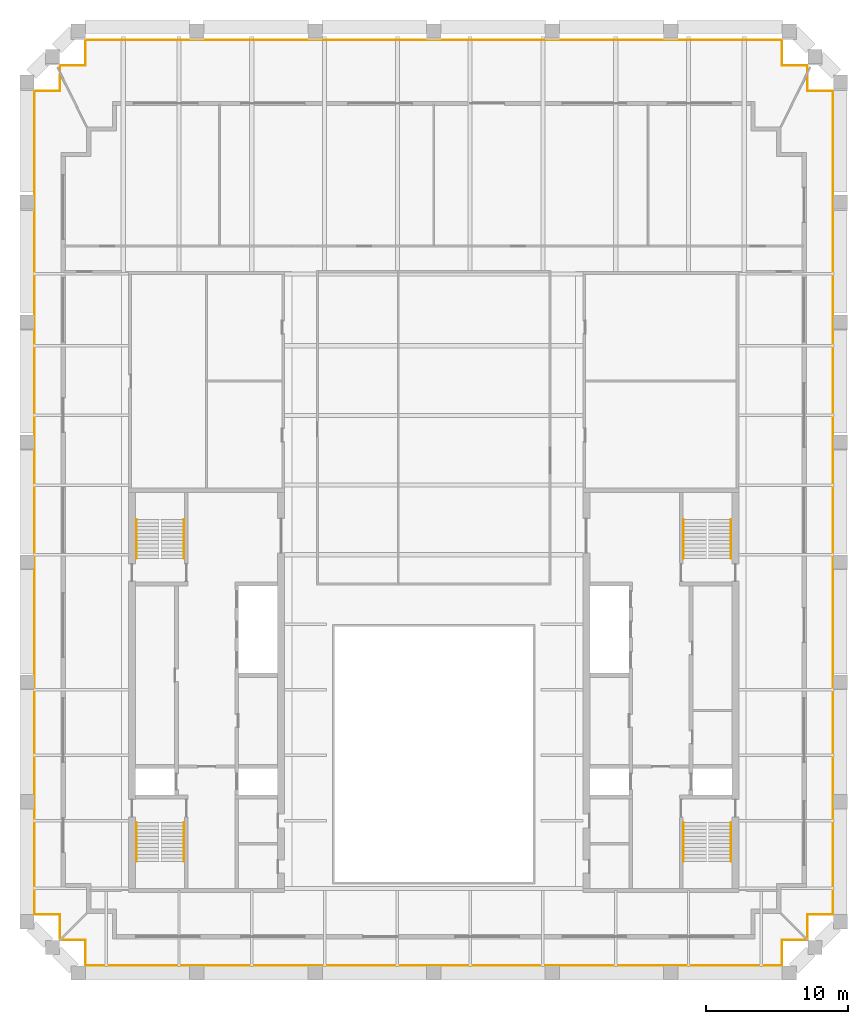
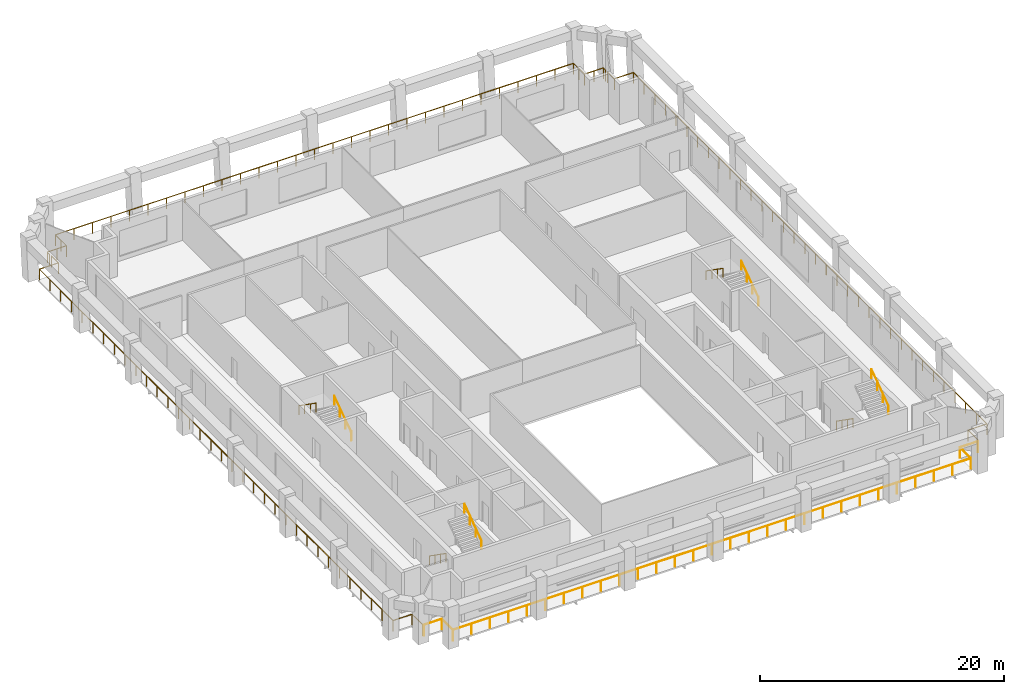
# One storey, part 7 of 7: 12 railings.
"""IFC4 building model written with IfcOpenShell, lengths in metres."""

import ifcopenshell
import ifcopenshell.guid

model = None  # the IFC model being written
_history = None  # IfcOwnerHistory: only IFC2X3 demands one
_inside = {}  # id of a spatial element -> (the spatial element, [elements in it])
_under = {}  # id of a project, library or spatial element -> (it, [spatial elements below it])
_declared = {}  # id of a project -> (the project, [libraries it declares])
_typed = {}  # id of a type object -> (the type object, [elements of that type])
_made_of = {}  # id of a material, layer set ... -> (it, [elements and type objects made of it])


def new_model(schema):
    """Start an empty IFC model of exactly this schema.

    Asked for "IFC4X3", IfcOpenShell would pick the latest addendum, in which some entities
    have other attributes; the version numbers below select the first issue.
    IFC2X3 requires an IfcOwnerHistory on every rooted entity: one is made here for all.
    """
    global model, _history
    if schema == "IFC4X3":
        model = ifcopenshell.file(schema_version=(4, 3, 0, 0))
    else:
        model = ifcopenshell.file(schema=schema)
    _inside.clear()
    _under.clear()
    _declared.clear()
    _typed.clear()
    _made_of.clear()
    _history = None
    if model.schema == "IFC2X3":
        org = make("IfcOrganization", Name="unknown")
        user = make(
            "IfcPersonAndOrganization",
            ThePerson=make("IfcPerson", FamilyName="unknown"),
            TheOrganization=org,
        )
        app = make(
            "IfcApplication",
            ApplicationDeveloper=org,
            Version="unknown",
            ApplicationFullName="unknown",
            ApplicationIdentifier="unknown",
        )
        _history = make(
            "IfcOwnerHistory",
            OwningUser=user,
            OwningApplication=app,
            ChangeAction="ADDED",
            CreationDate=0,
        )
    return model


def make(cls, **values):
    """One entity of the class cls with the attributes given. An attribute that is None is left unset."""
    return model.create_entity(
        cls, **{name: value for name, value in values.items() if value is not None}
    )


def rooted(cls, **values):
    """An entity with a GlobalId (a new one), such as an element, a storey or a relation."""
    return make(cls, GlobalId=ifcopenshell.guid.new(), OwnerHistory=_history, **values)


def si_unit(unit_type, name, prefix=None):
    """IfcSIUnit, for example si_unit("LENGTHUNIT", "METRE", prefix="MILLI")."""
    return make("IfcSIUnit", UnitType=unit_type, Prefix=prefix, Name=name)


def assignment(units):
    """IfcUnitAssignment: the units of a project."""
    return None if units is None else make("IfcUnitAssignment", Units=units)


def point(xyz):
    """IfcCartesianPoint."""
    return None if xyz is None else make("IfcCartesianPoint", Coordinates=xyz)


def direction(xyz):
    """IfcDirection."""
    return None if xyz is None else make("IfcDirection", DirectionRatios=xyz)


def frame(location, z_axis=None, x_axis=None):
    """IfcAxis2Placement3D, a coordinate frame: its origin and axes. An axis left out is left unset."""
    return make(
        "IfcAxis2Placement3D",
        Location=point(location),
        Axis=direction(z_axis),
        RefDirection=direction(x_axis),
    )


def frame_2d(location, x_axis=None):
    """IfcAxis2Placement2D, a coordinate frame in the plane: its origin and x axis."""
    return make(
        "IfcAxis2Placement2D", Location=point(location), RefDirection=direction(x_axis)
    )


def origin():
    """The frame at (0, 0, 0) with its axes left unset."""
    return frame((0.0, 0.0, 0.0))


def origin_2d():
    """The frame at (0, 0) in the plane with its x axis left unset."""
    return frame_2d((0.0, 0.0))


def place(relative_to, where):
    """IfcLocalPlacement: puts the frame where relative to a parent placement (None: the world)."""
    return make(
        "IfcLocalPlacement", PlacementRelTo=relative_to, RelativePlacement=where
    )


def context(
    kind, dimensions, precision=None, world=None, true_north=None, identifier=None
):
    """IfcGeometricRepresentationContext, for example the 3D "Model" context."""
    return make(
        "IfcGeometricRepresentationContext",
        ContextIdentifier=identifier,
        ContextType=kind,
        CoordinateSpaceDimension=dimensions,
        Precision=precision,
        WorldCoordinateSystem=world,
        TrueNorth=true_north,
    )


def subcontext(parent, identifier, kind, view, scale=None):
    """IfcGeometricRepresentationSubContext, for example "Body" below "Model"."""
    return make(
        "IfcGeometricRepresentationSubContext",
        ContextIdentifier=identifier,
        ContextType=kind,
        ParentContext=parent,
        TargetScale=scale,
        TargetView=view,
    )


def project(units=None, contexts=None):
    """IfcProject with its units and contexts."""
    return rooted(
        "IfcProject",
        Name="project",
        RepresentationContexts=contexts,
        UnitsInContext=assignment(units),
    )


def spatial(cls, under=None, at=None, **own):
    """A site, building, storey or space (cls), placed at a placement, below another one or the project."""
    s = rooted(cls, ObjectPlacement=at, **own)
    if under is not None:
        _under.setdefault(under.id(), (under, []))[1].append(s)
    return s


def profile(cls, at=None, kind="AREA", **sizes):
    """A parametric profile (cls). Its sizes go by their IFC names, for example OverallWidth=200.0."""
    return make(cls, ProfileType=kind, Position=at, **sizes)


def circle(**sizes):
    """IfcCircleProfileDef."""
    return profile("IfcCircleProfileDef", **sizes)


def extrude(swept, where, along, depth):
    """IfcExtrudedAreaSolid: the profile swept, set in the frame where, extruded along a direction by depth."""
    return make(
        "IfcExtrudedAreaSolid",
        SweptArea=swept,
        Position=where,
        ExtrudedDirection=direction(along),
        Depth=depth,
    )


def shape(context_of_items, identifier, shape_type, items):
    """IfcShapeRepresentation: the items that make up one representation, for example the "Body"."""
    return make(
        "IfcShapeRepresentation",
        ContextOfItems=context_of_items,
        RepresentationIdentifier=identifier,
        RepresentationType=shape_type,
        Items=items,
    )


def material(Name=None, Category=None):
    """IfcMaterial."""
    return make("IfcMaterial", Name=Name, Category=Category)


def made_of(thing, what):
    """Note that an element or type object is made of a material, layer set ...; save() writes the relation."""
    if what is not None:
        _made_of.setdefault(what.id(), (what, []))[1].append(thing)
    return thing


def type_object(cls, material=None, **own):
    """A type object (cls), such as IfcWallType, which elements share."""
    return made_of(rooted(cls, **own), material)


def element(
    cls,
    number,
    at=None,
    inside=None,
    cuts=None,
    type_object=None,
    material=None,
    context=None,
    identifier="Body",
    shape_type=None,
    held_by="IfcProductDefinitionShape",
    body=None,
    shapes=None,
    **own,
):
    """One element of the class cls, such as IfcWall. Its Tag is "e" and its number.

    at: its placement. inside: the storey or other place that contains it. cuts: it is an
    opening in that element (IfcRelVoidsElement). A single representation is given by context,
    identifier, shape_type and body (its items); several are given by shapes. held_by: the class
    of the entity that holds the representations. save() writes the other relations.
    """
    e = rooted(cls, Tag="e%d" % number, ObjectPlacement=at, **own)
    if body is not None:
        shapes = [shape(context, identifier, shape_type, body)]
    if shapes is not None:
        e.Representation = make(held_by, Representations=shapes)
    if inside is not None:
        _inside.setdefault(inside.id(), (inside, []))[1].append(e)
    if cuts is not None:
        rooted(
            "IfcRelVoidsElement", RelatingBuildingElement=cuts, RelatedOpeningElement=e
        )
    if type_object is not None:
        _typed.setdefault(type_object.id(), (type_object, []))[1].append(e)
    return made_of(e, material)


def aggregate(whole, parts):
    """IfcRelAggregates: a whole, such as a stair, and the parts it consists of."""
    return rooted("IfcRelAggregates", RelatingObject=whole, RelatedObjects=parts)


def save(model, path):
    """Write the relations noted so far, then the file.

    IfcRelAggregates (storeys below a building ...), IfcRelContainedInSpatialStructure (elements
    in a storey), IfcRelDefinesByType, IfcRelAssociatesMaterial and IfcRelDeclares: one each for
    every whole, place, type object, material and project.
    """
    for whole, parts in _under.values():
        aggregate(whole, parts)
    for where, things in _inside.values():
        rooted(
            "IfcRelContainedInSpatialStructure",
            RelatedElements=things,
            RelatingStructure=where,
        )
    for kind, things in _typed.values():
        rooted("IfcRelDefinesByType", RelatedObjects=things, RelatingType=kind)
    for what, things in _made_of.values():
        rooted("IfcRelAssociatesMaterial", RelatedObjects=things, RelatingMaterial=what)
    for by, libraries in _declared.values():
        rooted("IfcRelDeclares", RelatingContext=by, RelatedDefinitions=libraries)
    model.write(path)


model = new_model("IFC4")

# Units and contexts
model_context = context("Model", 3, precision=1e-05, world=origin(), true_north=direction((0.0, 1.0)))
body_context = subcontext(model_context, "Body", "Model", "MODEL_VIEW")
ifc_project = project(units=[si_unit("LENGTHUNIT", "METRE"), si_unit("AREAUNIT", "SQUARE_METRE"), si_unit("VOLUMEUNIT", "CUBIC_METRE"), si_unit("PLANEANGLEUNIT", "RADIAN"), si_unit("MASSUNIT", "GRAM", prefix="KILO")], contexts=[model_context])

# Site, building, storey
site_placement = place(None, origin())
site = spatial("IfcSite", under=ifc_project, at=site_placement, CompositionType="ELEMENT")
building_placement = place(site_placement, origin())
building = spatial("IfcBuilding", under=site, at=building_placement, Name="Ogive Exchange Tower", CompositionType="ELEMENT")
storey_placement = place(building_placement, frame((0.0, 0.0, 330.0)))
storey = spatial("IfcBuildingStorey", under=building, at=storey_placement, Name="L72", CompositionType="ELEMENT", Elevation=330.0)

# Railings
ifc_material_1 = material(Name="Stainless steel 316", Category="steel")
railing_type_1 = type_object("IfcRailingType", Name="Guard 1100 stainless steel and glass", PredefinedType="GUARDRAIL", material=ifc_material_1)
railing_1_placement = place(storey_placement, frame((26.238037109375, -6.080078125, -0.050048828125)))
element("IfcRailing", 1, at=railing_1_placement, inside=storey, type_object=railing_type_1, Name="Loggia guard 1", PredefinedType="GUARDRAIL", context=body_context, shape_type="SweptSolid", body=[
    extrude(circle(Radius=0.02392578125, at=origin_2d()), frame((0.0, 0.0, 1.076171875), z_axis=(-1.0, 0.0, 0.0), x_axis=(0.0, -1.0, 0.0)), (0.0, 0.0, 1.0), 1.7080078125),
    extrude(circle(Radius=0.02392578125, at=origin_2d()), frame((-1.7080078125, 0.0, 1.076171875), z_axis=(0.0, -1.0, 0.0), x_axis=(1.0, 0.0, 0.0)), (0.0, 0.0, 1.0), 1.7998046875),
    extrude(circle(Radius=0.02392578125, at=origin_2d()), frame((-1.7080078125, -1.7998046875, 1.076171875), z_axis=(-1.0, 0.0, 0.0), x_axis=(0.0, -1.0, 0.0)), (0.0, 0.0, 1.0), 49.06005859375),
    extrude(circle(Radius=0.02392578125, at=origin_2d()), frame((-50.76806640625, -1.7998046875, 1.076171875), z_axis=(0.0, 1.0, 0.0), x_axis=(-1.0, 0.0, 0.0)), (0.0, 0.0, 1.0), 1.7998046875),
    extrude(circle(Radius=0.02392578125, at=origin_2d()), frame((-50.76806640625, 0.0, 1.076171875), z_axis=(-1.0, 0.0, 0.0), x_axis=(0.0, -1.0, 0.0)), (0.0, 0.0, 1.0), 1.7080078125),
    extrude(circle(Radius=0.02099609375, at=origin_2d()), origin(), (0.0, 0.0, 1.0), 1.052001953125),
    extrude(circle(Radius=0.02099609375, at=origin_2d()), frame((-1.7080078125, 0.0, 0.0)), (0.0, 0.0, 1.0), 1.052001953125),
    extrude(circle(Radius=0.02099609375, at=origin_2d()), frame((-1.7080078125, -1.7998046875, 0.0)), (0.0, 0.0, 1.0), 1.052001953125),
    extrude(circle(Radius=0.02099609375, at=origin_2d()), frame((-3.460205078125, -1.7998046875, 0.0)), (0.0, 0.0, 1.0), 1.052001953125),
    extrude(circle(Radius=0.02099609375, at=origin_2d()), frame((-5.21240234375, -1.7998046875, 0.0)), (0.0, 0.0, 1.0), 1.052001953125),
    extrude(circle(Radius=0.02099609375, at=origin_2d()), frame((-6.96435546875, -1.7998046875, 0.0)), (0.0, 0.0, 1.0), 1.052001953125),
    extrude(circle(Radius=0.02099609375, at=origin_2d()), frame((-8.716552734375, -1.7998046875, 0.0)), (0.0, 0.0, 1.0), 1.052001953125),
    extrude(circle(Radius=0.02099609375, at=origin_2d()), frame((-10.46875, -1.7998046875, 0.0)), (0.0, 0.0, 1.0), 1.052001953125),
    extrude(circle(Radius=0.02099609375, at=origin_2d()), frame((-12.220947265625, -1.7998046875, 0.0)), (0.0, 0.0, 1.0), 1.052001953125),
    extrude(circle(Radius=0.02099609375, at=origin_2d()), frame((-13.97314453125, -1.7998046875, 0.0)), (0.0, 0.0, 1.0), 1.052001953125),
    extrude(circle(Radius=0.02099609375, at=origin_2d()), frame((-15.72509765625, -1.7998046875, 0.0)), (0.0, 0.0, 1.0), 1.052001953125),
    extrude(circle(Radius=0.02099609375, at=origin_2d()), frame((-17.477294921875, -1.7998046875, 0.0)), (0.0, 0.0, 1.0), 1.052001953125),
    extrude(circle(Radius=0.02099609375, at=origin_2d()), frame((-19.2294921875, -1.7998046875, 0.0)), (0.0, 0.0, 1.0), 1.052001953125),
    extrude(circle(Radius=0.02099609375, at=origin_2d()), frame((-20.981689453125, -1.7998046875, 0.0)), (0.0, 0.0, 1.0), 1.052001953125),
    extrude(circle(Radius=0.02099609375, at=origin_2d()), frame((-22.733642578125, -1.7998046875, 0.0)), (0.0, 0.0, 1.0), 1.052001953125),
    extrude(circle(Radius=0.02099609375, at=origin_2d()), frame((-24.48583984375, -1.7998046875, 0.0)), (0.0, 0.0, 1.0), 1.052001953125),
    extrude(circle(Radius=0.02099609375, at=origin_2d()), frame((-26.238037109375, -1.7998046875, 0.0)), (0.0, 0.0, 1.0), 1.052001953125),
    extrude(circle(Radius=0.02099609375, at=origin_2d()), frame((-27.990234375, -1.7998046875, 0.0)), (0.0, 0.0, 1.0), 1.052001953125),
    extrude(circle(Radius=0.02099609375, at=origin_2d()), frame((-29.742431640625, -1.7998046875, 0.0)), (0.0, 0.0, 1.0), 1.052001953125),
    extrude(circle(Radius=0.02099609375, at=origin_2d()), frame((-31.494384765625, -1.7998046875, 0.0)), (0.0, 0.0, 1.0), 1.052001953125),
    extrude(circle(Radius=0.02099609375, at=origin_2d()), frame((-33.24658203125, -1.7998046875, 0.0)), (0.0, 0.0, 1.0), 1.052001953125),
    extrude(circle(Radius=0.02099609375, at=origin_2d()), frame((-34.998779296875, -1.7998046875, 0.0)), (0.0, 0.0, 1.0), 1.052001953125),
    extrude(circle(Radius=0.02099609375, at=origin_2d()), frame((-36.7509765625, -1.7998046875, 0.0)), (0.0, 0.0, 1.0), 1.052001953125),
    extrude(circle(Radius=0.02099609375, at=origin_2d()), frame((-38.5029296875, -1.7998046875, 0.0)), (0.0, 0.0, 1.0), 1.052001953125),
    extrude(circle(Radius=0.02099609375, at=origin_2d()), frame((-40.255126953125, -1.7998046875, 0.0)), (0.0, 0.0, 1.0), 1.052001953125),
    extrude(circle(Radius=0.02099609375, at=origin_2d()), frame((-42.00732421875, -1.7998046875, 0.0)), (0.0, 0.0, 1.0), 1.052001953125),
    extrude(circle(Radius=0.02099609375, at=origin_2d()), frame((-43.759521484375, -1.7998046875, 0.0)), (0.0, 0.0, 1.0), 1.052001953125),
    extrude(circle(Radius=0.02099609375, at=origin_2d()), frame((-45.51171875, -1.7998046875, 0.0)), (0.0, 0.0, 1.0), 1.052001953125),
    extrude(circle(Radius=0.02099609375, at=origin_2d()), frame((-47.263671875, -1.7998046875, 0.0)), (0.0, 0.0, 1.0), 1.052001953125),
    extrude(circle(Radius=0.02099609375, at=origin_2d()), frame((-49.015869140625, -1.7998046875, 0.0)), (0.0, 0.0, 1.0), 1.052001953125),
    extrude(circle(Radius=0.02099609375, at=origin_2d()), frame((-50.76806640625, -1.7998046875, 0.0)), (0.0, 0.0, 1.0), 1.052001953125),
    extrude(circle(Radius=0.02099609375, at=origin_2d()), frame((-50.76806640625, 0.0, 0.0)), (0.0, 0.0, 1.0), 1.052001953125),
    extrude(circle(Radius=0.02099609375, at=origin_2d()), frame((-52.47607421875, 0.0, 0.0)), (0.0, 0.0, 1.0), 1.052001953125),
])
railing_2_placement = place(storey_placement, frame((-26.330078125, -5.988037109375, -0.050048828125)))
element("IfcRailing", 2, at=railing_2_placement, inside=storey, type_object=railing_type_1, Name="Loggia guard 2", PredefinedType="GUARDRAIL", context=body_context, shape_type="SweptSolid", body=[
    extrude(circle(Radius=0.02392578125, at=origin_2d()), frame((0.0, 0.0, 1.076171875), z_axis=(0.0, 1.0, 0.0), x_axis=(-1.0, 0.0, 0.0)), (0.0, 0.0, 1.0), 1.7080078125),
    extrude(circle(Radius=0.02392578125, at=origin_2d()), frame((0.0, 1.7080078125, 1.076171875), z_axis=(-1.0, 0.0, 0.0), x_axis=(0.0, -1.0, 0.0)), (0.0, 0.0, 1.0), 1.7998046875),
    extrude(circle(Radius=0.02392578125, at=origin_2d()), frame((-1.7998046875, 1.7080078125, 1.076171875), z_axis=(0.0, 1.0, 0.0), x_axis=(-1.0, 0.0, 0.0)), (0.0, 0.0, 1.0), 58.0146484375),
    extrude(circle(Radius=0.02392578125, at=origin_2d()), frame((-1.7998046875, 59.72265625, 1.076171875), z_axis=(1.0, 0.0, 0.0), x_axis=(0.0, 1.0, 0.0)), (0.0, 0.0, 1.0), 1.7998046875),
    extrude(circle(Radius=0.02392578125, at=origin_2d()), frame((0.0, 59.72265625, 1.076171875), z_axis=(0.0, 1.0, 0.0), x_axis=(-1.0, 0.0, 0.0)), (0.0, 0.0, 1.0), 1.12158203125),
    extrude(circle(Radius=0.02099609375, at=origin_2d()), origin(), (0.0, 0.0, 1.0), 1.052001953125),
    extrude(circle(Radius=0.02099609375, at=origin_2d()), frame((0.0, 1.7080078125, 0.0)), (0.0, 0.0, 1.0), 1.052001953125),
    extrude(circle(Radius=0.02099609375, at=origin_2d()), frame((-1.7998046875, 1.7080078125, 0.0)), (0.0, 0.0, 1.0), 1.052001953125),
    extrude(circle(Radius=0.02099609375, at=origin_2d()), frame((-1.7998046875, 3.466064453125, 0.0)), (0.0, 0.0, 1.0), 1.052001953125),
    extrude(circle(Radius=0.02099609375, at=origin_2d()), frame((-1.7998046875, 5.22412109375, 0.0)), (0.0, 0.0, 1.0), 1.052001953125),
    extrude(circle(Radius=0.02099609375, at=origin_2d()), frame((-1.7998046875, 6.982177734375, 0.0)), (0.0, 0.0, 1.0), 1.052001953125),
    extrude(circle(Radius=0.02099609375, at=origin_2d()), frame((-1.7998046875, 8.739990234375, 0.0)), (0.0, 0.0, 1.0), 1.052001953125),
    extrude(circle(Radius=0.02099609375, at=origin_2d()), frame((-1.7998046875, 10.498046875, 0.0)), (0.0, 0.0, 1.0), 1.052001953125),
    extrude(circle(Radius=0.02099609375, at=origin_2d()), frame((-1.7998046875, 12.256103515625, 0.0)), (0.0, 0.0, 1.0), 1.052001953125),
    extrude(circle(Radius=0.02099609375, at=origin_2d()), frame((-1.7998046875, 14.01416015625, 0.0)), (0.0, 0.0, 1.0), 1.052001953125),
    extrude(circle(Radius=0.02099609375, at=origin_2d()), frame((-1.7998046875, 15.772216796875, 0.0)), (0.0, 0.0, 1.0), 1.052001953125),
    extrude(circle(Radius=0.02099609375, at=origin_2d()), frame((-1.7998046875, 17.5302734375, 0.0)), (0.0, 0.0, 1.0), 1.052001953125),
    extrude(circle(Radius=0.02099609375, at=origin_2d()), frame((-1.7998046875, 19.2880859375, 0.0)), (0.0, 0.0, 1.0), 1.052001953125),
    extrude(circle(Radius=0.02099609375, at=origin_2d()), frame((-1.7998046875, 21.046142578125, 0.0)), (0.0, 0.0, 1.0), 1.052001953125),
    extrude(circle(Radius=0.02099609375, at=origin_2d()), frame((-1.7998046875, 22.80419921875, 0.0)), (0.0, 0.0, 1.0), 1.052001953125),
    extrude(circle(Radius=0.02099609375, at=origin_2d()), frame((-1.7998046875, 24.562255859375, 0.0)), (0.0, 0.0, 1.0), 1.052001953125),
    extrude(circle(Radius=0.02099609375, at=origin_2d()), frame((-1.7998046875, 26.3203125, 0.0)), (0.0, 0.0, 1.0), 1.052001953125),
    extrude(circle(Radius=0.02099609375, at=origin_2d()), frame((-1.7998046875, 28.078369140625, 0.0)), (0.0, 0.0, 1.0), 1.052001953125),
    extrude(circle(Radius=0.02099609375, at=origin_2d()), frame((-1.7998046875, 29.83642578125, 0.0)), (0.0, 0.0, 1.0), 1.052001953125),
    extrude(circle(Radius=0.02099609375, at=origin_2d()), frame((-1.7998046875, 31.59423828125, 0.0)), (0.0, 0.0, 1.0), 1.052001953125),
    extrude(circle(Radius=0.02099609375, at=origin_2d()), frame((-1.7998046875, 33.352294921875, 0.0)), (0.0, 0.0, 1.0), 1.052001953125),
    extrude(circle(Radius=0.02099609375, at=origin_2d()), frame((-1.7998046875, 35.1103515625, 0.0)), (0.0, 0.0, 1.0), 1.052001953125),
    extrude(circle(Radius=0.02099609375, at=origin_2d()), frame((-1.7998046875, 36.868408203125, 0.0)), (0.0, 0.0, 1.0), 1.052001953125),
    extrude(circle(Radius=0.02099609375, at=origin_2d()), frame((-1.7998046875, 38.62646484375, 0.0)), (0.0, 0.0, 1.0), 1.052001953125),
    extrude(circle(Radius=0.02099609375, at=origin_2d()), frame((-1.7998046875, 40.384521484375, 0.0)), (0.0, 0.0, 1.0), 1.052001953125),
    extrude(circle(Radius=0.02099609375, at=origin_2d()), frame((-1.7998046875, 42.142578125, 0.0)), (0.0, 0.0, 1.0), 1.052001953125),
    extrude(circle(Radius=0.02099609375, at=origin_2d()), frame((-1.7998046875, 43.900390625, 0.0)), (0.0, 0.0, 1.0), 1.052001953125),
    extrude(circle(Radius=0.02099609375, at=origin_2d()), frame((-1.7998046875, 45.658447265625, 0.0)), (0.0, 0.0, 1.0), 1.052001953125),
    extrude(circle(Radius=0.02099609375, at=origin_2d()), frame((-1.7998046875, 47.41650390625, 0.0)), (0.0, 0.0, 1.0), 1.052001953125),
    extrude(circle(Radius=0.02099609375, at=origin_2d()), frame((-1.7998046875, 49.174560546875, 0.0)), (0.0, 0.0, 1.0), 1.052001953125),
    extrude(circle(Radius=0.02099609375, at=origin_2d()), frame((-1.7998046875, 50.9326171875, 0.0)), (0.0, 0.0, 1.0), 1.052001953125),
    extrude(circle(Radius=0.02099609375, at=origin_2d()), frame((-1.7998046875, 52.690673828125, 0.0)), (0.0, 0.0, 1.0), 1.052001953125),
    extrude(circle(Radius=0.02099609375, at=origin_2d()), frame((-1.7998046875, 54.448486328125, 0.0)), (0.0, 0.0, 1.0), 1.052001953125),
    extrude(circle(Radius=0.02099609375, at=origin_2d()), frame((-1.7998046875, 56.20654296875, 0.0)), (0.0, 0.0, 1.0), 1.052001953125),
    extrude(circle(Radius=0.02099609375, at=origin_2d()), frame((-1.7998046875, 57.964599609375, 0.0)), (0.0, 0.0, 1.0), 1.052001953125),
    extrude(circle(Radius=0.02099609375, at=origin_2d()), frame((-1.7998046875, 59.72265625, 0.0)), (0.0, 0.0, 1.0), 1.052001953125),
    extrude(circle(Radius=0.02099609375, at=origin_2d()), frame((0.0, 59.72265625, 0.0)), (0.0, 0.0, 1.0), 1.052001953125),
    extrude(circle(Radius=0.02099609375, at=origin_2d()), frame((0.0, 60.84423828125, 0.0)), (0.0, 0.0, 1.0), 1.052001953125),
])
railing_3_placement = place(storey_placement, frame((-26.330078125, 55.1494140625, -0.050048828125)))
element("IfcRailing", 3, at=railing_3_placement, inside=storey, type_object=railing_type_1, Name="Loggia guard 3", PredefinedType="GUARDRAIL", context=body_context, shape_type="SweptSolid", body=[
    extrude(circle(Radius=0.02392578125, at=origin_2d()), frame((0.0, 0.0, 1.076171875), z_axis=(0.0, 1.0, 0.0), x_axis=(-1.0, 0.0, 0.0)), (0.0, 0.0, 1.0), 0.385009765625),
    extrude(circle(Radius=0.02392578125, at=origin_2d()), frame((0.0, 0.385009765625, 1.076171875), z_axis=(1.0, 0.0, 0.0), x_axis=(0.0, 1.0, 0.0)), (0.0, 0.0, 1.0), 1.800048828125),
    extrude(circle(Radius=0.02392578125, at=origin_2d()), frame((1.800048828125, 0.385009765625, 1.076171875), z_axis=(0.0, 1.0, 0.0), x_axis=(-1.0, 0.0, 0.0)), (0.0, 0.0, 1.0), 1.800048828125),
    extrude(circle(Radius=0.02392578125, at=origin_2d()), frame((1.800048828125, 2.18505859375, 1.076171875), z_axis=(1.0, 0.0, 0.0), x_axis=(0.0, 1.0, 0.0)), (0.0, 0.0, 1.0), 49.06005859375),
    extrude(circle(Radius=0.02392578125, at=origin_2d()), frame((50.860107421875, 2.18505859375, 1.076171875), z_axis=(0.0, -1.0, 0.0), x_axis=(1.0, 0.0, 0.0)), (0.0, 0.0, 1.0), 1.800048828125),
    extrude(circle(Radius=0.02392578125, at=origin_2d()), frame((50.860107421875, 0.385009765625, 1.076171875), z_axis=(1.0, 0.0, 0.0), x_axis=(0.0, 1.0, 0.0)), (0.0, 0.0, 1.0), 1.800048828125),
    extrude(circle(Radius=0.02392578125, at=origin_2d()), frame((52.66015625, 0.385009765625, 1.076171875), z_axis=(0.0, -1.0, 0.0), x_axis=(1.0, 0.0, 0.0)), (0.0, 0.0, 1.0), 0.385009765625),
    extrude(circle(Radius=0.02099609375, at=origin_2d()), origin(), (0.0, 0.0, 1.0), 1.052001953125),
    extrude(circle(Radius=0.02099609375, at=origin_2d()), frame((0.0, 0.385009765625, 0.0)), (0.0, 0.0, 1.0), 1.052001953125),
    extrude(circle(Radius=0.02099609375, at=origin_2d()), frame((0.89990234375, 0.385009765625, 0.0)), (0.0, 0.0, 1.0), 1.052001953125),
    extrude(circle(Radius=0.02099609375, at=origin_2d()), frame((1.800048828125, 0.385009765625, 0.0)), (0.0, 0.0, 1.0), 1.052001953125),
    extrude(circle(Radius=0.02099609375, at=origin_2d()), frame((1.800048828125, 1.28515625, 0.0)), (0.0, 0.0, 1.0), 1.052001953125),
    extrude(circle(Radius=0.02099609375, at=origin_2d()), frame((1.800048828125, 2.18505859375, 0.0)), (0.0, 0.0, 1.0), 1.052001953125),
    extrude(circle(Radius=0.02099609375, at=origin_2d()), frame((3.55224609375, 2.18505859375, 0.0)), (0.0, 0.0, 1.0), 1.052001953125),
    extrude(circle(Radius=0.02099609375, at=origin_2d()), frame((5.304443359375, 2.18505859375, 0.0)), (0.0, 0.0, 1.0), 1.052001953125),
    extrude(circle(Radius=0.02099609375, at=origin_2d()), frame((7.056396484375, 2.18505859375, 0.0)), (0.0, 0.0, 1.0), 1.052001953125),
    extrude(circle(Radius=0.02099609375, at=origin_2d()), frame((8.80859375, 2.18505859375, 0.0)), (0.0, 0.0, 1.0), 1.052001953125),
    extrude(circle(Radius=0.02099609375, at=origin_2d()), frame((10.560791015625, 2.18505859375, 0.0)), (0.0, 0.0, 1.0), 1.052001953125),
    extrude(circle(Radius=0.02099609375, at=origin_2d()), frame((12.31298828125, 2.18505859375, 0.0)), (0.0, 0.0, 1.0), 1.052001953125),
    extrude(circle(Radius=0.02099609375, at=origin_2d()), frame((14.06494140625, 2.18505859375, 0.0)), (0.0, 0.0, 1.0), 1.052001953125),
    extrude(circle(Radius=0.02099609375, at=origin_2d()), frame((15.817138671875, 2.18505859375, 0.0)), (0.0, 0.0, 1.0), 1.052001953125),
    extrude(circle(Radius=0.02099609375, at=origin_2d()), frame((17.5693359375, 2.18505859375, 0.0)), (0.0, 0.0, 1.0), 1.052001953125),
    extrude(circle(Radius=0.02099609375, at=origin_2d()), frame((19.321533203125, 2.18505859375, 0.0)), (0.0, 0.0, 1.0), 1.052001953125),
    extrude(circle(Radius=0.02099609375, at=origin_2d()), frame((21.07373046875, 2.18505859375, 0.0)), (0.0, 0.0, 1.0), 1.052001953125),
    extrude(circle(Radius=0.02099609375, at=origin_2d()), frame((22.82568359375, 2.18505859375, 0.0)), (0.0, 0.0, 1.0), 1.052001953125),
    extrude(circle(Radius=0.02099609375, at=origin_2d()), frame((24.577880859375, 2.18505859375, 0.0)), (0.0, 0.0, 1.0), 1.052001953125),
    extrude(circle(Radius=0.02099609375, at=origin_2d()), frame((26.330078125, 2.18505859375, 0.0)), (0.0, 0.0, 1.0), 1.052001953125),
    extrude(circle(Radius=0.02099609375, at=origin_2d()), frame((28.082275390625, 2.18505859375, 0.0)), (0.0, 0.0, 1.0), 1.052001953125),
    extrude(circle(Radius=0.02099609375, at=origin_2d()), frame((29.83447265625, 2.18505859375, 0.0)), (0.0, 0.0, 1.0), 1.052001953125),
    extrude(circle(Radius=0.02099609375, at=origin_2d()), frame((31.58642578125, 2.18505859375, 0.0)), (0.0, 0.0, 1.0), 1.052001953125),
    extrude(circle(Radius=0.02099609375, at=origin_2d()), frame((33.338623046875, 2.18505859375, 0.0)), (0.0, 0.0, 1.0), 1.052001953125),
    extrude(circle(Radius=0.02099609375, at=origin_2d()), frame((35.0908203125, 2.18505859375, 0.0)), (0.0, 0.0, 1.0), 1.052001953125),
    extrude(circle(Radius=0.02099609375, at=origin_2d()), frame((36.843017578125, 2.18505859375, 0.0)), (0.0, 0.0, 1.0), 1.052001953125),
    extrude(circle(Radius=0.02099609375, at=origin_2d()), frame((38.59521484375, 2.18505859375, 0.0)), (0.0, 0.0, 1.0), 1.052001953125),
    extrude(circle(Radius=0.02099609375, at=origin_2d()), frame((40.34716796875, 2.18505859375, 0.0)), (0.0, 0.0, 1.0), 1.052001953125),
    extrude(circle(Radius=0.02099609375, at=origin_2d()), frame((42.099365234375, 2.18505859375, 0.0)), (0.0, 0.0, 1.0), 1.052001953125),
    extrude(circle(Radius=0.02099609375, at=origin_2d()), frame((43.8515625, 2.18505859375, 0.0)), (0.0, 0.0, 1.0), 1.052001953125),
    extrude(circle(Radius=0.02099609375, at=origin_2d()), frame((45.603759765625, 2.18505859375, 0.0)), (0.0, 0.0, 1.0), 1.052001953125),
    extrude(circle(Radius=0.02099609375, at=origin_2d()), frame((47.355712890625, 2.18505859375, 0.0)), (0.0, 0.0, 1.0), 1.052001953125),
    extrude(circle(Radius=0.02099609375, at=origin_2d()), frame((49.10791015625, 2.18505859375, 0.0)), (0.0, 0.0, 1.0), 1.052001953125),
    extrude(circle(Radius=0.02099609375, at=origin_2d()), frame((50.860107421875, 2.18505859375, 0.0)), (0.0, 0.0, 1.0), 1.052001953125),
    extrude(circle(Radius=0.02099609375, at=origin_2d()), frame((50.860107421875, 1.28515625, 0.0)), (0.0, 0.0, 1.0), 1.052001953125),
    extrude(circle(Radius=0.02099609375, at=origin_2d()), frame((50.860107421875, 0.385009765625, 0.0)), (0.0, 0.0, 1.0), 1.052001953125),
    extrude(circle(Radius=0.02099609375, at=origin_2d()), frame((51.76025390625, 0.385009765625, 0.0)), (0.0, 0.0, 1.0), 1.052001953125),
    extrude(circle(Radius=0.02099609375, at=origin_2d()), frame((52.66015625, 0.385009765625, 0.0)), (0.0, 0.0, 1.0), 1.052001953125),
    extrude(circle(Radius=0.02099609375, at=origin_2d()), frame((52.66015625, 0.0, 0.0)), (0.0, 0.0, 1.0), 1.052001953125),
])
railing_4_placement = place(storey_placement, frame((26.330078125, 54.856201171875, -0.050048828125)))
element("IfcRailing", 4, at=railing_4_placement, inside=storey, type_object=railing_type_1, Name="Loggia guard 4", PredefinedType="GUARDRAIL", context=body_context, shape_type="SweptSolid", body=[
    extrude(circle(Radius=0.02392578125, at=origin_2d()), frame((0.0, 0.0, 1.076171875), z_axis=(0.0, -1.0, 0.0), x_axis=(1.0, 0.0, 0.0)), (0.0, 0.0, 1.0), 1.12158203125),
    extrude(circle(Radius=0.02392578125, at=origin_2d()), frame((0.0, -1.12158203125, 1.076171875), z_axis=(1.0, 0.0, 0.0), x_axis=(0.0, 1.0, 0.0)), (0.0, 0.0, 1.0), 1.7998046875),
    extrude(circle(Radius=0.02392578125, at=origin_2d()), frame((1.7998046875, -1.12158203125, 1.076171875), z_axis=(0.0, -1.0, 0.0), x_axis=(1.0, 0.0, 0.0)), (0.0, 0.0, 1.0), 58.0146484375),
    extrude(circle(Radius=0.02392578125, at=origin_2d()), frame((1.7998046875, -59.13623046875, 1.076171875), z_axis=(-1.0, 0.0, 0.0), x_axis=(0.0, -1.0, 0.0)), (0.0, 0.0, 1.0), 1.7998046875),
    extrude(circle(Radius=0.02392578125, at=origin_2d()), frame((0.0, -59.13623046875, 1.076171875), z_axis=(0.0, -1.0, 0.0), x_axis=(1.0, 0.0, 0.0)), (0.0, 0.0, 1.0), 1.7080078125),
    extrude(circle(Radius=0.02099609375, at=origin_2d()), origin(), (0.0, 0.0, 1.0), 1.052001953125),
    extrude(circle(Radius=0.02099609375, at=origin_2d()), frame((0.0, -1.12158203125, 0.0)), (0.0, 0.0, 1.0), 1.052001953125),
    extrude(circle(Radius=0.02099609375, at=origin_2d()), frame((1.7998046875, -1.12158203125, 0.0)), (0.0, 0.0, 1.0), 1.052001953125),
    extrude(circle(Radius=0.02099609375, at=origin_2d()), frame((1.7998046875, -2.879638671875, 0.0)), (0.0, 0.0, 1.0), 1.052001953125),
    extrude(circle(Radius=0.02099609375, at=origin_2d()), frame((1.7998046875, -4.6376953125, 0.0)), (0.0, 0.0, 1.0), 1.052001953125),
    extrude(circle(Radius=0.02099609375, at=origin_2d()), frame((1.7998046875, -6.395751953125, 0.0)), (0.0, 0.0, 1.0), 1.052001953125),
    extrude(circle(Radius=0.02099609375, at=origin_2d()), frame((1.7998046875, -8.153564453125, 0.0)), (0.0, 0.0, 1.0), 1.052001953125),
    extrude(circle(Radius=0.02099609375, at=origin_2d()), frame((1.7998046875, -9.91162109375, 0.0)), (0.0, 0.0, 1.0), 1.052001953125),
    extrude(circle(Radius=0.02099609375, at=origin_2d()), frame((1.7998046875, -11.669677734375, 0.0)), (0.0, 0.0, 1.0), 1.052001953125),
    extrude(circle(Radius=0.02099609375, at=origin_2d()), frame((1.7998046875, -13.427734375, 0.0)), (0.0, 0.0, 1.0), 1.052001953125),
    extrude(circle(Radius=0.02099609375, at=origin_2d()), frame((1.7998046875, -15.185791015625, 0.0)), (0.0, 0.0, 1.0), 1.052001953125),
    extrude(circle(Radius=0.02099609375, at=origin_2d()), frame((1.7998046875, -16.94384765625, 0.0)), (0.0, 0.0, 1.0), 1.052001953125),
    extrude(circle(Radius=0.02099609375, at=origin_2d()), frame((1.7998046875, -18.70166015625, 0.0)), (0.0, 0.0, 1.0), 1.052001953125),
    extrude(circle(Radius=0.02099609375, at=origin_2d()), frame((1.7998046875, -20.459716796875, 0.0)), (0.0, 0.0, 1.0), 1.052001953125),
    extrude(circle(Radius=0.02099609375, at=origin_2d()), frame((1.7998046875, -22.2177734375, 0.0)), (0.0, 0.0, 1.0), 1.052001953125),
    extrude(circle(Radius=0.02099609375, at=origin_2d()), frame((1.7998046875, -23.975830078125, 0.0)), (0.0, 0.0, 1.0), 1.052001953125),
    extrude(circle(Radius=0.02099609375, at=origin_2d()), frame((1.7998046875, -25.73388671875, 0.0)), (0.0, 0.0, 1.0), 1.052001953125),
    extrude(circle(Radius=0.02099609375, at=origin_2d()), frame((1.7998046875, -27.491943359375, 0.0)), (0.0, 0.0, 1.0), 1.052001953125),
    extrude(circle(Radius=0.02099609375, at=origin_2d()), frame((1.7998046875, -29.25, 0.0)), (0.0, 0.0, 1.0), 1.052001953125),
    extrude(circle(Radius=0.02099609375, at=origin_2d()), frame((1.7998046875, -31.0078125, 0.0)), (0.0, 0.0, 1.0), 1.052001953125),
    extrude(circle(Radius=0.02099609375, at=origin_2d()), frame((1.7998046875, -32.765869140625, 0.0)), (0.0, 0.0, 1.0), 1.052001953125),
    extrude(circle(Radius=0.02099609375, at=origin_2d()), frame((1.7998046875, -34.52392578125, 0.0)), (0.0, 0.0, 1.0), 1.052001953125),
    extrude(circle(Radius=0.02099609375, at=origin_2d()), frame((1.7998046875, -36.281982421875, 0.0)), (0.0, 0.0, 1.0), 1.052001953125),
    extrude(circle(Radius=0.02099609375, at=origin_2d()), frame((1.7998046875, -38.0400390625, 0.0)), (0.0, 0.0, 1.0), 1.052001953125),
    extrude(circle(Radius=0.02099609375, at=origin_2d()), frame((1.7998046875, -39.798095703125, 0.0)), (0.0, 0.0, 1.0), 1.052001953125),
    extrude(circle(Radius=0.02099609375, at=origin_2d()), frame((1.7998046875, -41.55615234375, 0.0)), (0.0, 0.0, 1.0), 1.052001953125),
    extrude(circle(Radius=0.02099609375, at=origin_2d()), frame((1.7998046875, -43.31396484375, 0.0)), (0.0, 0.0, 1.0), 1.052001953125),
    extrude(circle(Radius=0.02099609375, at=origin_2d()), frame((1.7998046875, -45.072021484375, 0.0)), (0.0, 0.0, 1.0), 1.052001953125),
    extrude(circle(Radius=0.02099609375, at=origin_2d()), frame((1.7998046875, -46.830078125, 0.0)), (0.0, 0.0, 1.0), 1.052001953125),
    extrude(circle(Radius=0.02099609375, at=origin_2d()), frame((1.7998046875, -48.588134765625, 0.0)), (0.0, 0.0, 1.0), 1.052001953125),
    extrude(circle(Radius=0.02099609375, at=origin_2d()), frame((1.7998046875, -50.34619140625, 0.0)), (0.0, 0.0, 1.0), 1.052001953125),
    extrude(circle(Radius=0.02099609375, at=origin_2d()), frame((1.7998046875, -52.104248046875, 0.0)), (0.0, 0.0, 1.0), 1.052001953125),
    extrude(circle(Radius=0.02099609375, at=origin_2d()), frame((1.7998046875, -53.862060546875, 0.0)), (0.0, 0.0, 1.0), 1.052001953125),
    extrude(circle(Radius=0.02099609375, at=origin_2d()), frame((1.7998046875, -55.6201171875, 0.0)), (0.0, 0.0, 1.0), 1.052001953125),
    extrude(circle(Radius=0.02099609375, at=origin_2d()), frame((1.7998046875, -57.378173828125, 0.0)), (0.0, 0.0, 1.0), 1.052001953125),
    extrude(circle(Radius=0.02099609375, at=origin_2d()), frame((1.7998046875, -59.13623046875, 0.0)), (0.0, 0.0, 1.0), 1.052001953125),
    extrude(circle(Radius=0.02099609375, at=origin_2d()), frame((0.0, -59.13623046875, 0.0)), (0.0, 0.0, 1.0), 1.052001953125),
    extrude(circle(Radius=0.02099609375, at=origin_2d()), frame((0.0, -60.84423828125, 0.0)), (0.0, 0.0, 1.0), 1.052001953125),
])
ifc_material_2 = material(Name="Stainless steel", Category="steel")
railing_type_2 = type_object("IfcRailingType", Name="Stair handrail 900", PredefinedType="HANDRAIL", material=ifc_material_2)
railing_5_placement = place(storey_placement, frame((-20.949951171875, 2.199951171875, 0.175048828125)))
element("IfcRailing", 5, at=railing_5_placement, inside=storey, type_object=railing_type_2, Name="L72 ST1 stair handrail 1", PredefinedType="HANDRAIL", context=body_context, shape_type="SweptSolid", body=[
    extrude(circle(Radius=0.02392578125, at=origin_2d()), frame((0.0, 0.0, 0.8759765625), z_axis=(0.0, -0.819225086817, 0.573472106672), x_axis=(1.0, 0.0, 0.0)), (0.0, 0.0, 1.0), 3.35693359375),
    extrude(circle(Radius=0.02099609375, at=origin_2d()), origin(), (0.0, 0.0, 1.0), 0.851806640625),
    extrude(circle(Radius=0.02099609375, at=origin_2d()), frame((0.0, -0.916748046875, 0.6416015625)), (0.0, 0.0, 1.0), 0.851806640625),
    extrude(circle(Radius=0.02099609375, at=origin_2d()), frame((0.0, -1.833251953125, 1.283447265625)), (0.0, 0.0, 1.0), 0.851806640625),
    extrude(circle(Radius=0.02099609375, at=origin_2d()), frame((0.0, -2.75, 1.925048828125)), (0.0, 0.0, 1.0), 0.851806640625),
])
for number, where, name in (
    (6, (-17.60009765625, -0.550048828125, 2.27490234375), "L72 ST1 stair handrail 2"),
    (7, (-17.60009765625, 20.800048828125, 0.175048828125), "L72 ST2 stair handrail 1"),
):
    element("IfcRailing", number, at=place(storey_placement, frame(where)), inside=storey, type_object=railing_type_2, Name=name, PredefinedType="HANDRAIL", context=body_context, shape_type="SweptSolid", body=[
        extrude(circle(Radius=0.02392578125, at=origin_2d()), frame((0.0, 0.0, 0.8759765625), z_axis=(0.0, 0.819225086817, 0.573472106672), x_axis=(-1.0, 0.0, 0.0)), (0.0, 0.0, 1.0), 3.35693359375),
        extrude(circle(Radius=0.02099609375, at=origin_2d()), origin(), (0.0, 0.0, 1.0), 0.851806640625),
        extrude(circle(Radius=0.02099609375, at=origin_2d()), frame((0.0, 0.916748046875, 0.6416015625)), (0.0, 0.0, 1.0), 0.851806640625),
        extrude(circle(Radius=0.02099609375, at=origin_2d()), frame((0.0, 1.833251953125, 1.283447265625)), (0.0, 0.0, 1.0), 0.851806640625),
        extrude(circle(Radius=0.02099609375, at=origin_2d()), frame((0.0, 2.75, 1.925048828125)), (0.0, 0.0, 1.0), 0.851806640625),
    ])
for number, where, name in (
    (8, (-20.949951171875, 23.550048828125, 2.27490234375), "L72 ST2 stair handrail 2"),
    (9, (17.60009765625, 2.199951171875, 0.175048828125), "L72 ST3 stair handrail 1"),
):
    element("IfcRailing", number, at=place(storey_placement, frame(where)), inside=storey, type_object=railing_type_2, Name=name, PredefinedType="HANDRAIL", context=body_context, shape_type="SweptSolid", body=[
        extrude(circle(Radius=0.02392578125, at=origin_2d()), frame((0.0, 0.0, 0.8759765625), z_axis=(0.0, -0.819225086817, 0.573472106672), x_axis=(1.0, 0.0, 0.0)), (0.0, 0.0, 1.0), 3.35693359375),
        extrude(circle(Radius=0.02099609375, at=origin_2d()), origin(), (0.0, 0.0, 1.0), 0.851806640625),
        extrude(circle(Radius=0.02099609375, at=origin_2d()), frame((0.0, -0.916748046875, 0.6416015625)), (0.0, 0.0, 1.0), 0.851806640625),
        extrude(circle(Radius=0.02099609375, at=origin_2d()), frame((0.0, -1.833251953125, 1.283447265625)), (0.0, 0.0, 1.0), 0.851806640625),
        extrude(circle(Radius=0.02099609375, at=origin_2d()), frame((0.0, -2.75, 1.925048828125)), (0.0, 0.0, 1.0), 0.851806640625),
    ])
for number, where, name in (
    (10, (20.949951171875, -0.550048828125, 2.27490234375), "L72 ST3 stair handrail 2"),
    (11, (20.949951171875, 20.800048828125, 0.175048828125), "L72 ST4 stair handrail 1"),
):
    element("IfcRailing", number, at=place(storey_placement, frame(where)), inside=storey, type_object=railing_type_2, Name=name, PredefinedType="HANDRAIL", context=body_context, shape_type="SweptSolid", body=[
        extrude(circle(Radius=0.02392578125, at=origin_2d()), frame((0.0, 0.0, 0.8759765625), z_axis=(0.0, 0.819225086817, 0.573472106672), x_axis=(-1.0, 0.0, 0.0)), (0.0, 0.0, 1.0), 3.35693359375),
        extrude(circle(Radius=0.02099609375, at=origin_2d()), origin(), (0.0, 0.0, 1.0), 0.851806640625),
        extrude(circle(Radius=0.02099609375, at=origin_2d()), frame((0.0, 0.916748046875, 0.6416015625)), (0.0, 0.0, 1.0), 0.851806640625),
        extrude(circle(Radius=0.02099609375, at=origin_2d()), frame((0.0, 1.833251953125, 1.283447265625)), (0.0, 0.0, 1.0), 0.851806640625),
        extrude(circle(Radius=0.02099609375, at=origin_2d()), frame((0.0, 2.75, 1.925048828125)), (0.0, 0.0, 1.0), 0.851806640625),
    ])
railing_6_placement = place(storey_placement, frame((17.60009765625, 23.550048828125, 2.27490234375)))
element("IfcRailing", 12, at=railing_6_placement, inside=storey, type_object=railing_type_2, Name="L72 ST4 stair handrail 2", PredefinedType="HANDRAIL", context=body_context, shape_type="SweptSolid", body=[
    extrude(circle(Radius=0.02392578125, at=origin_2d()), frame((0.0, 0.0, 0.8759765625), z_axis=(0.0, -0.819225086817, 0.573472106672), x_axis=(1.0, 0.0, 0.0)), (0.0, 0.0, 1.0), 3.35693359375),
    extrude(circle(Radius=0.02099609375, at=origin_2d()), origin(), (0.0, 0.0, 1.0), 0.851806640625),
    extrude(circle(Radius=0.02099609375, at=origin_2d()), frame((0.0, -0.916748046875, 0.6416015625)), (0.0, 0.0, 1.0), 0.851806640625),
    extrude(circle(Radius=0.02099609375, at=origin_2d()), frame((0.0, -1.833251953125, 1.283447265625)), (0.0, 0.0, 1.0), 0.851806640625),
    extrude(circle(Radius=0.02099609375, at=origin_2d()), frame((0.0, -2.75, 1.925048828125)), (0.0, 0.0, 1.0), 0.851806640625),
])

save(model, "model.ifc")
